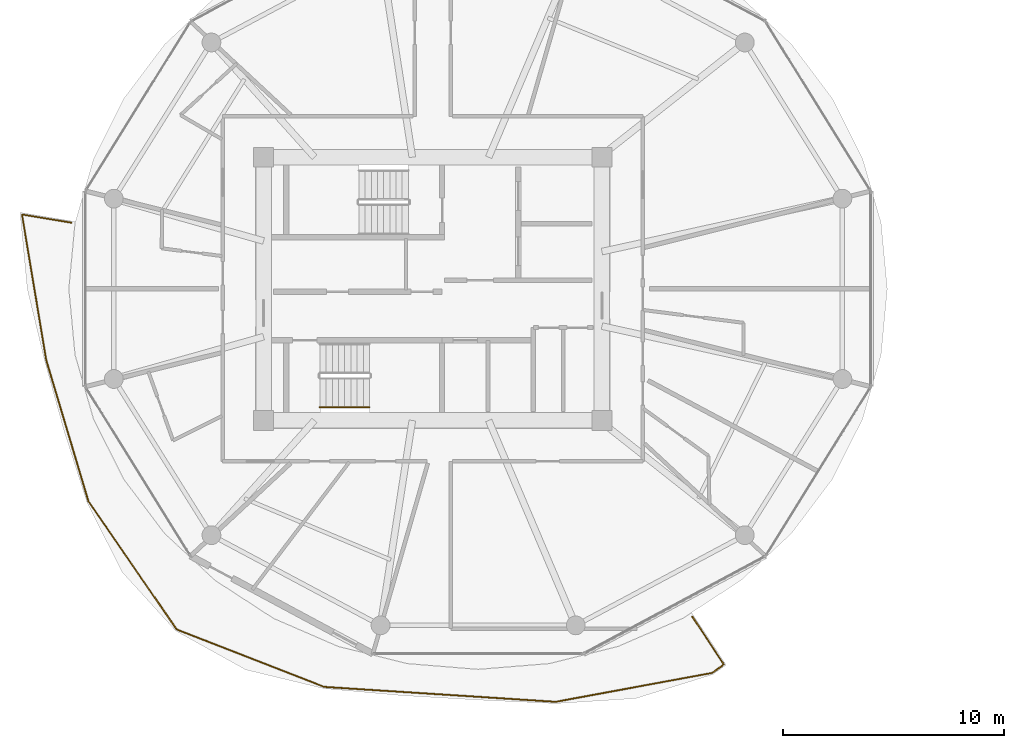
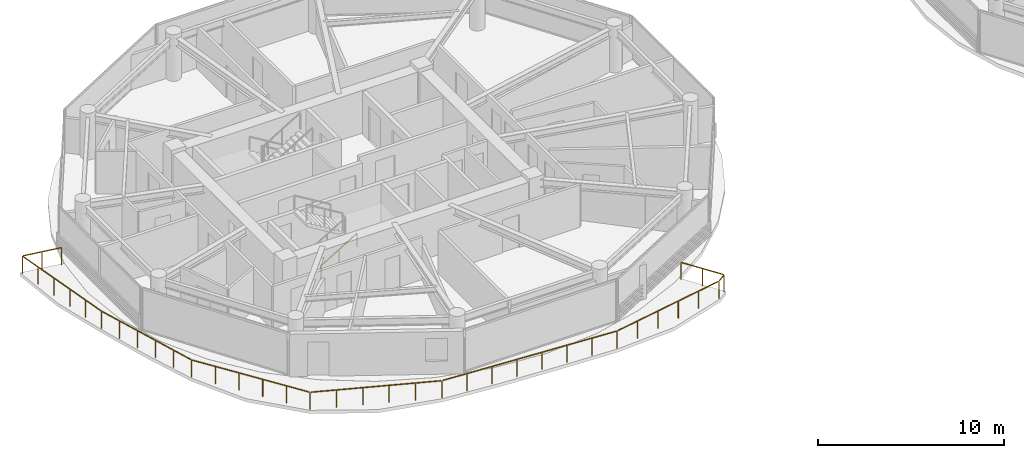
# One storey, part 20 of 24: 2 railings.
"""IFC4 building model written with IfcOpenShell, lengths in metres."""

import ifcopenshell
import ifcopenshell.guid

model = None  # the IFC model being written
_history = None  # IfcOwnerHistory: only IFC2X3 demands one
_inside = {}  # id of a spatial element -> (the spatial element, [elements in it])
_under = {}  # id of a project, library or spatial element -> (it, [spatial elements below it])
_declared = {}  # id of a project -> (the project, [libraries it declares])
_typed = {}  # id of a type object -> (the type object, [elements of that type])
_made_of = {}  # id of a material, layer set ... -> (it, [elements and type objects made of it])


def new_model(schema):
    """Start an empty IFC model of exactly this schema.

    Asked for "IFC4X3", IfcOpenShell would pick the latest addendum, in which some entities
    have other attributes; the version numbers below select the first issue.
    IFC2X3 requires an IfcOwnerHistory on every rooted entity: one is made here for all.
    """
    global model, _history
    if schema == "IFC4X3":
        model = ifcopenshell.file(schema_version=(4, 3, 0, 0))
    else:
        model = ifcopenshell.file(schema=schema)
    _inside.clear()
    _under.clear()
    _declared.clear()
    _typed.clear()
    _made_of.clear()
    _history = None
    if model.schema == "IFC2X3":
        org = make("IfcOrganization", Name="unknown")
        user = make(
            "IfcPersonAndOrganization",
            ThePerson=make("IfcPerson", FamilyName="unknown"),
            TheOrganization=org,
        )
        app = make(
            "IfcApplication",
            ApplicationDeveloper=org,
            Version="unknown",
            ApplicationFullName="unknown",
            ApplicationIdentifier="unknown",
        )
        _history = make(
            "IfcOwnerHistory",
            OwningUser=user,
            OwningApplication=app,
            ChangeAction="ADDED",
            CreationDate=0,
        )
    return model


def make(cls, **values):
    """One entity of the class cls with the attributes given. An attribute that is None is left unset."""
    return model.create_entity(
        cls, **{name: value for name, value in values.items() if value is not None}
    )


def rooted(cls, **values):
    """An entity with a GlobalId (a new one), such as an element, a storey or a relation."""
    return make(cls, GlobalId=ifcopenshell.guid.new(), OwnerHistory=_history, **values)


def si_unit(unit_type, name, prefix=None):
    """IfcSIUnit, for example si_unit("LENGTHUNIT", "METRE", prefix="MILLI")."""
    return make("IfcSIUnit", UnitType=unit_type, Prefix=prefix, Name=name)


def assignment(units):
    """IfcUnitAssignment: the units of a project."""
    return None if units is None else make("IfcUnitAssignment", Units=units)


def point(xyz):
    """IfcCartesianPoint."""
    return None if xyz is None else make("IfcCartesianPoint", Coordinates=xyz)


def direction(xyz):
    """IfcDirection."""
    return None if xyz is None else make("IfcDirection", DirectionRatios=xyz)


def frame(location, z_axis=None, x_axis=None):
    """IfcAxis2Placement3D, a coordinate frame: its origin and axes. An axis left out is left unset."""
    return make(
        "IfcAxis2Placement3D",
        Location=point(location),
        Axis=direction(z_axis),
        RefDirection=direction(x_axis),
    )


def frame_2d(location, x_axis=None):
    """IfcAxis2Placement2D, a coordinate frame in the plane: its origin and x axis."""
    return make(
        "IfcAxis2Placement2D", Location=point(location), RefDirection=direction(x_axis)
    )


def origin():
    """The frame at (0, 0, 0) with its axes left unset."""
    return frame((0.0, 0.0, 0.0))


def origin_2d():
    """The frame at (0, 0) in the plane with its x axis left unset."""
    return frame_2d((0.0, 0.0))


def place(relative_to, where):
    """IfcLocalPlacement: puts the frame where relative to a parent placement (None: the world)."""
    return make(
        "IfcLocalPlacement", PlacementRelTo=relative_to, RelativePlacement=where
    )


def context(
    kind, dimensions, precision=None, world=None, true_north=None, identifier=None
):
    """IfcGeometricRepresentationContext, for example the 3D "Model" context."""
    return make(
        "IfcGeometricRepresentationContext",
        ContextIdentifier=identifier,
        ContextType=kind,
        CoordinateSpaceDimension=dimensions,
        Precision=precision,
        WorldCoordinateSystem=world,
        TrueNorth=true_north,
    )


def subcontext(parent, identifier, kind, view, scale=None):
    """IfcGeometricRepresentationSubContext, for example "Body" below "Model"."""
    return make(
        "IfcGeometricRepresentationSubContext",
        ContextIdentifier=identifier,
        ContextType=kind,
        ParentContext=parent,
        TargetScale=scale,
        TargetView=view,
    )


def project(units=None, contexts=None):
    """IfcProject with its units and contexts."""
    return rooted(
        "IfcProject",
        Name="project",
        RepresentationContexts=contexts,
        UnitsInContext=assignment(units),
    )


def spatial(cls, under=None, at=None, **own):
    """A site, building, storey or space (cls), placed at a placement, below another one or the project."""
    s = rooted(cls, ObjectPlacement=at, **own)
    if under is not None:
        _under.setdefault(under.id(), (under, []))[1].append(s)
    return s


def profile(cls, at=None, kind="AREA", **sizes):
    """A parametric profile (cls). Its sizes go by their IFC names, for example OverallWidth=200.0."""
    return make(cls, ProfileType=kind, Position=at, **sizes)


def rectangle(**sizes):
    """IfcRectangleProfileDef."""
    return profile("IfcRectangleProfileDef", **sizes)


def extrude(swept, where, along, depth):
    """IfcExtrudedAreaSolid: the profile swept, set in the frame where, extruded along a direction by depth."""
    return make(
        "IfcExtrudedAreaSolid",
        SweptArea=swept,
        Position=where,
        ExtrudedDirection=direction(along),
        Depth=depth,
    )


def shape(context_of_items, identifier, shape_type, items):
    """IfcShapeRepresentation: the items that make up one representation, for example the "Body"."""
    return make(
        "IfcShapeRepresentation",
        ContextOfItems=context_of_items,
        RepresentationIdentifier=identifier,
        RepresentationType=shape_type,
        Items=items,
    )


def material(Name=None, Category=None):
    """IfcMaterial."""
    return make("IfcMaterial", Name=Name, Category=Category)


def made_of(thing, what):
    """Note that an element or type object is made of a material, layer set ...; save() writes the relation."""
    if what is not None:
        _made_of.setdefault(what.id(), (what, []))[1].append(thing)
    return thing


def type_object(cls, material=None, **own):
    """A type object (cls), such as IfcWallType, which elements share."""
    return made_of(rooted(cls, **own), material)


def element(
    cls,
    number,
    at=None,
    inside=None,
    cuts=None,
    type_object=None,
    material=None,
    context=None,
    identifier="Body",
    shape_type=None,
    held_by="IfcProductDefinitionShape",
    body=None,
    shapes=None,
    **own,
):
    """One element of the class cls, such as IfcWall. Its Tag is "e" and its number.

    at: its placement. inside: the storey or other place that contains it. cuts: it is an
    opening in that element (IfcRelVoidsElement). A single representation is given by context,
    identifier, shape_type and body (its items); several are given by shapes. held_by: the class
    of the entity that holds the representations. save() writes the other relations.
    """
    e = rooted(cls, Tag="e%d" % number, ObjectPlacement=at, **own)
    if body is not None:
        shapes = [shape(context, identifier, shape_type, body)]
    if shapes is not None:
        e.Representation = make(held_by, Representations=shapes)
    if inside is not None:
        _inside.setdefault(inside.id(), (inside, []))[1].append(e)
    if cuts is not None:
        rooted(
            "IfcRelVoidsElement", RelatingBuildingElement=cuts, RelatedOpeningElement=e
        )
    if type_object is not None:
        _typed.setdefault(type_object.id(), (type_object, []))[1].append(e)
    return made_of(e, material)


def aggregate(whole, parts):
    """IfcRelAggregates: a whole, such as a stair, and the parts it consists of."""
    return rooted("IfcRelAggregates", RelatingObject=whole, RelatedObjects=parts)


def save(model, path):
    """Write the relations noted so far, then the file.

    IfcRelAggregates (storeys below a building ...), IfcRelContainedInSpatialStructure (elements
    in a storey), IfcRelDefinesByType, IfcRelAssociatesMaterial and IfcRelDeclares: one each for
    every whole, place, type object, material and project.
    """
    for whole, parts in _under.values():
        aggregate(whole, parts)
    for where, things in _inside.values():
        rooted(
            "IfcRelContainedInSpatialStructure",
            RelatedElements=things,
            RelatingStructure=where,
        )
    for kind, things in _typed.values():
        rooted("IfcRelDefinesByType", RelatedObjects=things, RelatingType=kind)
    for what, things in _made_of.values():
        rooted("IfcRelAssociatesMaterial", RelatedObjects=things, RelatingMaterial=what)
    for by, libraries in _declared.values():
        rooted("IfcRelDeclares", RelatingContext=by, RelatedDefinitions=libraries)
    model.write(path)


model = new_model("IFC4")

# Units and contexts
model_context = context("Model", 3, precision=1e-05, world=origin(), true_north=direction((0.0, 1.0)))
body_context = subcontext(model_context, "Body", "Model", "MODEL_VIEW")
ifc_project = project(units=[si_unit("LENGTHUNIT", "METRE"), si_unit("AREAUNIT", "SQUARE_METRE"), si_unit("VOLUMEUNIT", "CUBIC_METRE"), si_unit("PLANEANGLEUNIT", "RADIAN"), si_unit("MASSUNIT", "GRAM", prefix="KILO")], contexts=[model_context])

# Site, building, storey
site_placement = place(None, origin())
site = spatial("IfcSite", under=ifc_project, at=site_placement, CompositionType="ELEMENT")
building_placement = place(site_placement, origin())
building = spatial("IfcBuilding", under=site, at=building_placement, Name="Norrkilde Senior Care Towers", CompositionType="ELEMENT")
storey_placement = place(building_placement, frame((0.0, 0.0, 108.449951171875)))
storey = spatial("IfcBuildingStorey", under=building, at=storey_placement, Name="L33", CompositionType="ELEMENT", Elevation=108.449951171875)

# Railings
ifc_material_1 = material(Name="Anodised Aluminium", Category="aluminium")
railing_type_1 = type_object("IfcRailingType", Name="Balcony Swirl Ribbon Guardrail 1150", PredefinedType="GUARDRAIL", material=ifc_material_1)
railing_1_placement = place(storey_placement, frame((-16.2626953125, -14.82568359375, 0.0)))
element("IfcRailing", 1, at=railing_1_placement, inside=storey, type_object=railing_type_1, Name="L33 Perimeter Safety Guard 03", PredefinedType="GUARDRAIL", context=body_context, shape_type="SweptSolid", body=[
    extrude(rectangle(XDim=0.048095703125, YDim=0.048095703125, at=origin_2d()), frame((0.0, 0.0, 1.1259765625), z_axis=(0.550815901344, -0.834626768578, 0.0), x_axis=(0.834626768578, 0.550815901344, 0.0)), (0.0, 0.0, 1.0), 2.544921875),
    extrude(rectangle(XDim=0.048095703125, YDim=0.048095703125, at=origin_2d()), frame((1.39111328125, -2.181884765625, 1.1259765625), z_axis=(-0.815166514174, -0.579226686341, 0.0), x_axis=(0.579226686341, -0.815166514174, 0.0)), (0.0, 0.0, 1.0), 0.5732421875),
    extrude(rectangle(XDim=0.048095703125, YDim=0.048095703125, at=origin_2d()), frame((0.85009765625, -2.544921875, 1.1259765625), z_axis=(-0.983361185808, -0.181661163284, 0.0), x_axis=(0.181661163284, -0.983361185808, 0.0)), (0.0, 0.0, 1.0), 7.10693359375),
    extrude(rectangle(XDim=0.048095703125, YDim=0.048095703125, at=origin_2d()), frame((-6.219482421875, -3.8408203125, 1.1259765625), z_axis=(-0.997927767967, 0.064344152191, 0.0), x_axis=(-0.064344152191, -0.997927767967, 0.0)), (0.0, 0.0, 1.0), 10.409423828125),
    extrude(rectangle(XDim=0.048095703125, YDim=0.048095703125, at=origin_2d()), frame((-16.686279296875, -3.153564453125, 1.1259765625), z_axis=(-0.931805283772, 0.362958555672, 0.0), x_axis=(-0.362958555672, -0.931805283772, 0.0)), (0.0, 0.0, 1.0), 7.06982421875),
    extrude(rectangle(XDim=0.048095703125, YDim=0.048095703125, at=origin_2d()), frame((-23.335205078125, -0.5390625, 1.1259765625), z_axis=(-0.567322496698, 0.823495710214, 0.0), x_axis=(-0.823495710214, -0.567322496698, 0.0)), (0.0, 0.0, 1.0), 6.95263671875),
    extrude(rectangle(XDim=0.048095703125, YDim=0.048095703125, at=origin_2d()), frame((-27.314453125, 5.259033203125, 1.1259765625), z_axis=(-0.286641160612, 0.958038018579, 0.0), x_axis=(-0.958038018579, -0.286641160612, 0.0)), (0.0, 0.0, 1.0), 6.574462890625),
    extrude(rectangle(XDim=0.048095703125, YDim=0.048095703125, at=origin_2d()), frame((-29.217529296875, 11.63720703125, 1.1259765625), z_axis=(-0.164244926986, 0.986419588187, 0.0), x_axis=(-0.986419588187, -0.164244926986, 0.0)), (0.0, 0.0, 1.0), 6.599853515625),
    extrude(rectangle(XDim=0.048095703125, YDim=0.048095703125, at=origin_2d()), frame((-30.267822265625, 18.180908203125, 1.1259765625), z_axis=(0.986332330388, -0.164768122012, 0.0), x_axis=(0.164768122012, 0.986332330388, 0.0)), (0.0, 0.0, 1.0), 2.21142578125),
    extrude(rectangle(XDim=0.0419921875, YDim=0.0419921875, at=origin_2d()), origin(), (0.0, 0.0, 1.0), 1.099853515625),
    extrude(rectangle(XDim=0.0419921875, YDim=0.0419921875, at=origin_2d()), frame((0.712158203125, -1.0791015625, 0.0)), (0.0, 0.0, 1.0), 1.099853515625),
    extrude(rectangle(XDim=0.0419921875, YDim=0.0419921875, at=origin_2d()), frame((1.42431640625, -2.158203125, 0.0)), (0.0, 0.0, 1.0), 1.099853515625),
    extrude(rectangle(XDim=0.0419921875, YDim=0.0419921875, at=origin_2d()), frame((0.890380859375, -2.53759765625, 0.0)), (0.0, 0.0, 1.0), 1.099853515625),
    extrude(rectangle(XDim=0.0419921875, YDim=0.0419921875, at=origin_2d()), frame((-0.5234375, -2.798828125, 0.0)), (0.0, 0.0, 1.0), 1.099853515625),
    extrude(rectangle(XDim=0.0419921875, YDim=0.0419921875, at=origin_2d()), frame((-1.937255859375, -3.06005859375, 0.0)), (0.0, 0.0, 1.0), 1.099853515625),
    extrude(rectangle(XDim=0.0419921875, YDim=0.0419921875, at=origin_2d()), frame((-3.35107421875, -3.321044921875, 0.0)), (0.0, 0.0, 1.0), 1.099853515625),
    extrude(rectangle(XDim=0.0419921875, YDim=0.0419921875, at=origin_2d()), frame((-4.764892578125, -3.582275390625, 0.0)), (0.0, 0.0, 1.0), 1.099853515625),
    extrude(rectangle(XDim=0.0419921875, YDim=0.0419921875, at=origin_2d()), frame((-6.1787109375, -3.843505859375, 0.0)), (0.0, 0.0, 1.0), 1.099853515625),
    extrude(rectangle(XDim=0.0419921875, YDim=0.0419921875, at=origin_2d()), frame((-7.67431640625, -3.7470703125, 0.0)), (0.0, 0.0, 1.0), 1.099853515625),
    extrude(rectangle(XDim=0.0419921875, YDim=0.0419921875, at=origin_2d()), frame((-9.169921875, -3.650634765625, 0.0)), (0.0, 0.0, 1.0), 1.099853515625),
    extrude(rectangle(XDim=0.0419921875, YDim=0.0419921875, at=origin_2d()), frame((-10.66552734375, -3.55419921875, 0.0)), (0.0, 0.0, 1.0), 1.099853515625),
    extrude(rectangle(XDim=0.0419921875, YDim=0.0419921875, at=origin_2d()), frame((-12.161376953125, -3.457763671875, 0.0)), (0.0, 0.0, 1.0), 1.099853515625),
    extrude(rectangle(XDim=0.0419921875, YDim=0.0419921875, at=origin_2d()), frame((-13.656982421875, -3.361328125, 0.0)), (0.0, 0.0, 1.0), 1.099853515625),
    extrude(rectangle(XDim=0.0419921875, YDim=0.0419921875, at=origin_2d()), frame((-15.152587890625, -3.264892578125, 0.0)), (0.0, 0.0, 1.0), 1.099853515625),
    extrude(rectangle(XDim=0.0419921875, YDim=0.0419921875, at=origin_2d()), frame((-16.648193359375, -3.16845703125, 0.0)), (0.0, 0.0, 1.0), 1.099853515625),
    extrude(rectangle(XDim=0.0419921875, YDim=0.0419921875, at=origin_2d()), frame((-17.98095703125, -2.6494140625, 0.0)), (0.0, 0.0, 1.0), 1.099853515625),
    extrude(rectangle(XDim=0.0419921875, YDim=0.0419921875, at=origin_2d()), frame((-19.313720703125, -2.130126953125, 0.0)), (0.0, 0.0, 1.0), 1.099853515625),
    extrude(rectangle(XDim=0.0419921875, YDim=0.0419921875, at=origin_2d()), frame((-20.646484375, -1.611083984375, 0.0)), (0.0, 0.0, 1.0), 1.099853515625),
    extrude(rectangle(XDim=0.0419921875, YDim=0.0419921875, at=origin_2d()), frame((-21.979248046875, -1.091796875, 0.0)), (0.0, 0.0, 1.0), 1.099853515625),
    extrude(rectangle(XDim=0.0419921875, YDim=0.0419921875, at=origin_2d()), frame((-23.31201171875, -0.57275390625, 0.0)), (0.0, 0.0, 1.0), 1.099853515625),
    extrude(rectangle(XDim=0.0419921875, YDim=0.0419921875, at=origin_2d()), frame((-24.110107421875, 0.585693359375, 0.0)), (0.0, 0.0, 1.0), 1.099853515625),
    extrude(rectangle(XDim=0.0419921875, YDim=0.0419921875, at=origin_2d()), frame((-24.908203125, 1.744384765625, 0.0)), (0.0, 0.0, 1.0), 1.099853515625),
    extrude(rectangle(XDim=0.0419921875, YDim=0.0419921875, at=origin_2d()), frame((-25.70654296875, 2.90283203125, 0.0)), (0.0, 0.0, 1.0), 1.099853515625),
    extrude(rectangle(XDim=0.0419921875, YDim=0.0419921875, at=origin_2d()), frame((-26.504638671875, 4.0615234375, 0.0)), (0.0, 0.0, 1.0), 1.099853515625),
    extrude(rectangle(XDim=0.0419921875, YDim=0.0419921875, at=origin_2d()), frame((-27.302734375, 5.219970703125, 0.0)), (0.0, 0.0, 1.0), 1.099853515625),
    extrude(rectangle(XDim=0.0419921875, YDim=0.0419921875, at=origin_2d()), frame((-27.684326171875, 6.495361328125, 0.0)), (0.0, 0.0, 1.0), 1.099853515625),
    extrude(rectangle(XDim=0.0419921875, YDim=0.0419921875, at=origin_2d()), frame((-28.06591796875, 7.770751953125, 0.0)), (0.0, 0.0, 1.0), 1.099853515625),
    extrude(rectangle(XDim=0.0419921875, YDim=0.0419921875, at=origin_2d()), frame((-28.447509765625, 9.046142578125, 0.0)), (0.0, 0.0, 1.0), 1.099853515625),
    extrude(rectangle(XDim=0.0419921875, YDim=0.0419921875, at=origin_2d()), frame((-28.8291015625, 10.321533203125, 0.0)), (0.0, 0.0, 1.0), 1.099853515625),
    extrude(rectangle(XDim=0.0419921875, YDim=0.0419921875, at=origin_2d()), frame((-29.210693359375, 11.596923828125, 0.0)), (0.0, 0.0, 1.0), 1.099853515625),
    extrude(rectangle(XDim=0.0419921875, YDim=0.0419921875, at=origin_2d()), frame((-29.43017578125, 12.9150390625, 0.0)), (0.0, 0.0, 1.0), 1.099853515625),
    extrude(rectangle(XDim=0.0419921875, YDim=0.0419921875, at=origin_2d()), frame((-29.649658203125, 14.233154296875, 0.0)), (0.0, 0.0, 1.0), 1.099853515625),
    extrude(rectangle(XDim=0.0419921875, YDim=0.0419921875, at=origin_2d()), frame((-29.869140625, 15.551513671875, 0.0)), (0.0, 0.0, 1.0), 1.099853515625),
    extrude(rectangle(XDim=0.0419921875, YDim=0.0419921875, at=origin_2d()), frame((-30.088623046875, 16.86962890625, 0.0)), (0.0, 0.0, 1.0), 1.099853515625),
    extrude(rectangle(XDim=0.0419921875, YDim=0.0419921875, at=origin_2d()), frame((-30.30810546875, 18.187744140625, 0.0)), (0.0, 0.0, 1.0), 1.099853515625),
    extrude(rectangle(XDim=0.0419921875, YDim=0.0419921875, at=origin_2d()), frame((-29.197265625, 18.002197265625, 0.0)), (0.0, 0.0, 1.0), 1.099853515625),
    extrude(rectangle(XDim=0.0419921875, YDim=0.0419921875, at=origin_2d()), frame((-28.086669921875, 17.816650390625, 0.0)), (0.0, 0.0, 1.0), 1.099853515625),
])
ifc_material_2 = material(Name="Nordic Ash Timber", Category="wood")
railing_type_2 = type_object("IfcRailingType", Name="Wall and Stair Handrail 900", PredefinedType="HANDRAIL", material=ifc_material_2)
railing_2_placement = place(storey_placement, frame((-33.10009765625, -5.35009765625, 0.16943359375)))
element("IfcRailing", 2, at=railing_2_placement, inside=storey, type_object=railing_type_2, Name="L33 ST-W2 stair handrail 1", PredefinedType="HANDRAIL", context=body_context, shape_type="SweptSolid", body=[
    extrude(rectangle(XDim=0.048095703125, YDim=0.048095703125, at=origin_2d()), frame((0.0, 0.0, 0.8759765625), z_axis=(0.855512035549, 0.0, 0.517782924622), x_axis=(0.0, 1.0, 0.0)), (0.0, 0.0, 1.0), 2.618408203125),
    extrude(rectangle(XDim=0.0419921875, YDim=0.0419921875, at=origin_2d()), origin(), (0.0, 0.0, 1.0), 0.849853515625),
    extrude(rectangle(XDim=0.0419921875, YDim=0.0419921875, at=origin_2d()), frame((1.1201171875, 0.0, 0.677734375)), (0.0, 0.0, 1.0), 0.849853515625),
    extrude(rectangle(XDim=0.0419921875, YDim=0.0419921875, at=origin_2d()), frame((2.239990234375, 0.0, 1.355712890625)), (0.0, 0.0, 1.0), 0.849853515625),
])

save(model, "model.ifc")
